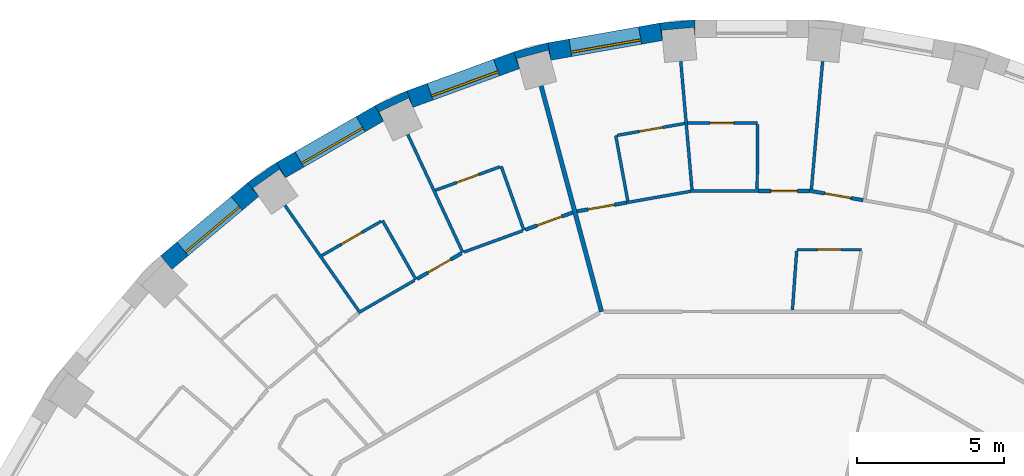
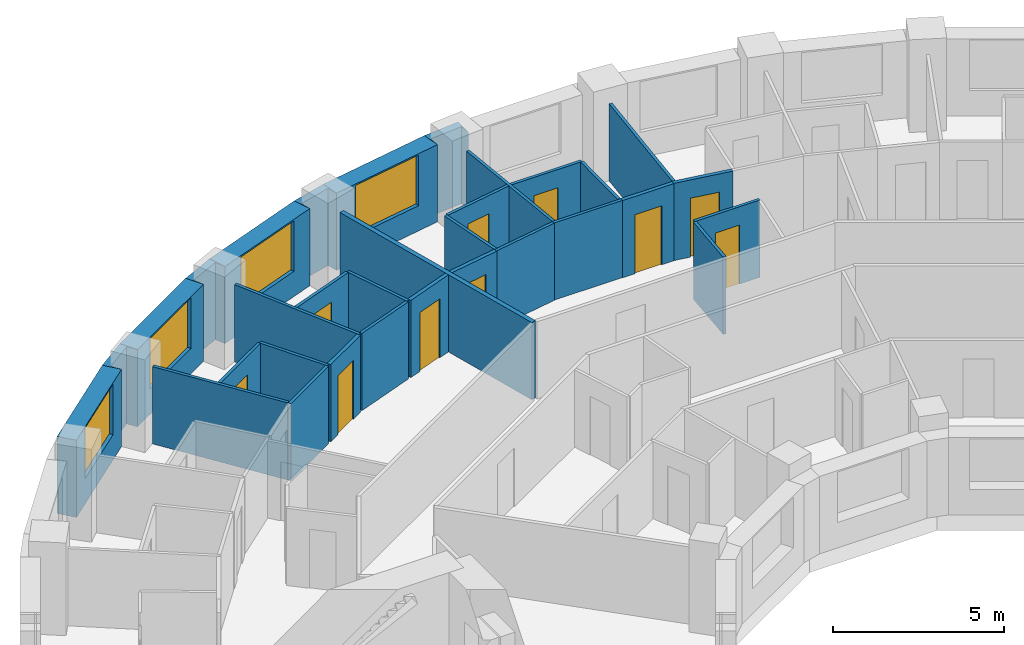
# One storey, part 10 of 14: 32 walls, 10 doors, 4 windows, 14 openings.
"""IFC4 building model written with IfcOpenShell, lengths in metres."""

from ifc_helpers import new_model, si_unit, direction, frame, frame_2d, origin, place, context, subcontext, project, spatial, polyline, rectangle, outline, extrude, material, layer, layer_set, type_object, element, fill, save


model = new_model("IFC4")

# Units and contexts
model_context = context("Model", 3, precision=1e-05, world=origin(), true_north=direction((0.0, 1.0)))
body_context = subcontext(model_context, "Body", "Model", "MODEL_VIEW")
ifc_project = project(units=[si_unit("LENGTHUNIT", "METRE"), si_unit("AREAUNIT", "SQUARE_METRE"), si_unit("VOLUMEUNIT", "CUBIC_METRE"), si_unit("PLANEANGLEUNIT", "RADIAN"), si_unit("MASSUNIT", "GRAM", prefix="KILO")], contexts=[model_context])

# Site, building, storey
site_placement = place(None, origin())
site = spatial("IfcSite", under=ifc_project, at=site_placement, CompositionType="ELEMENT")
building_placement = place(site_placement, origin())
building = spatial("IfcBuilding", under=site, at=building_placement, Name="Saqina Gate Tower", CompositionType="ELEMENT")
storey_placement = place(building_placement, frame((0.0, 0.0, 46.10009765625)))
storey = spatial("IfcBuildingStorey", under=building, at=storey_placement, Name="L12", CompositionType="ELEMENT", Elevation=46.10009765625)

# Walls
ifc_material_1 = material(Name="Brick masonry (red)", Category="masonry")
wall_type_1 = type_object("IfcWallType", Name="BRICK PIER COPING RED", PredefinedType="SOLIDWALL", material=ifc_material_1)
wall_1_placement = place(storey_placement, origin())
element("IfcWall", 1, at=wall_1_placement, inside=storey, type_object=wall_type_1, Name="Pier cap L12 column 10", PredefinedType="SOLIDWALL", context=body_context, shape_type="SweptSolid", body=[
    extrude(outline(polyline([(-1.9228515625, 28.8896484375), (-3.122802734375, 28.78466796875), (-3.018798828125, 28.19384765625), (-3.04931640625, 28.54296875), (-1.95361328125, 28.638671875), (-1.9228515625, 28.28955078125), (-1.9228515625, 28.8896484375)])), origin(), (0.0, 0.0, 1.0), 2.75),
])
wall_2_placement = place(storey_placement, origin())
element("IfcWall", 2, at=wall_2_placement, inside=storey, type_object=wall_type_1, Name="Pier cap L12 column 11", PredefinedType="SOLIDWALL", context=body_context, shape_type="SweptSolid", body=[
    extrude(outline(polyline([(-6.910400390625, 28.11669921875), (-8.073974609375, 27.80517578125), (-7.86865234375, 27.2412109375), (-7.95947265625, 27.57958984375), (-6.896728515625, 27.864501953125), (-6.80615234375, 27.52587890625), (-6.910400390625, 28.11669921875)])), origin(), (0.0, 0.0, 1.0), 2.75),
])
wall_3_placement = place(storey_placement, origin())
element("IfcWall", 3, at=wall_3_placement, inside=storey, type_object=wall_type_1, Name="Pier cap L12 column 12", PredefinedType="SOLIDWALL", context=body_context, shape_type="SweptSolid", body=[
    extrude(outline(polyline([(-12.779541015625, 25.980712890625), (-12.4794921875, 25.4609375), (-12.627685546875, 25.778564453125), (-11.630615234375, 26.243408203125), (-11.482666015625, 25.92578125), (-11.687744140625, 26.48974609375), (-12.779541015625, 25.980712890625)])), origin(), (0.0, 0.0, 1.0), 2.75),
])
wall_4_placement = place(storey_placement, origin())
element("IfcWall", 4, at=wall_4_placement, inside=storey, type_object=wall_type_1, Name="Pier cap L12 column 13", PredefinedType="SOLIDWALL", context=body_context, shape_type="SweptSolid", body=[
    extrude(outline(polyline([(-16.110107421875, 24.0576171875), (-17.096923828125, 23.36669921875), (-16.711181640625, 22.9072265625), (-16.912109375, 23.194091796875), (-16.010986328125, 23.8251953125), (-15.81005859375, 23.5380859375), (-16.110107421875, 24.0576171875)])), origin(), (0.0, 0.0, 1.0), 2.75),
])

# Wall, opening, window
ifc_material_2 = material(Name="Brick masonry (red)", Category="masonry")
ifc_layer_1 = layer(ifc_material_2, 0.60009765625)
ifc_layer_set_1 = layer_set([ifc_layer_1], Name="FW-BRICK-RED")
wall_type_2 = type_object("IfcWallType", Name="FW-BRICK-RED", PredefinedType="SOLIDWALL", material=ifc_layer_set_1)
wall_5_placement = place(storey_placement, frame((-3.07080078125, 28.4892578125, 0.0), z_axis=(0.0, 0.0, 1.0), x_axis=(-0.984800809218, -0.173687553279, 0.0)))
wall_5 = element("IfcWall", 5, at=wall_5_placement, inside=storey, type_object=wall_type_2, Name="Facade wall L12 facet 10", PredefinedType="SOLIDWALL", context=body_context, shape_type="SweptSolid", body=[
    extrude(rectangle(XDim=3.845703125, YDim=0.60009765625, at=frame_2d((1.9228515625, 0.0))), origin(), (0.0, 0.0, 1.0), 2.75),
])
opening_1_placement = place(wall_5_placement, frame((0.722900390625, 0.0, 0.89990234375)))
opening_1 = element("IfcOpeningElement", 6, at=opening_1_placement, cuts=wall_5, Name="Opening G03-W08", PredefinedType="OPENING", context=body_context, shape_type="SweptSolid", body=[
    extrude(rectangle(XDim=2.39990234375, YDim=1.800048828125, at=frame_2d((1.199951171875, 0.89990234375))), frame((0.0, 0.31201171875, 0.0), z_axis=(0.0, -1.0, 0.0), x_axis=(1.0, 0.0, 0.0)), (0.0, 0.0, 1.0), 0.6240234375),
])
ifc_material_3 = material(Name="Aluminium glazing", Category="aluminium")
window_type = type_object("IfcWindowType", Name="WN-A", PartitioningType="SINGLE_PANEL", PredefinedType="WINDOW", material=ifc_material_3)
window_1_placement = place(opening_1_placement, origin())
window_1 = element("IfcWindow", 7, at=window_1_placement, inside=storey, type_object=window_type, Name="Window L12 facet 10", OverallHeight=1.800048828125, OverallWidth=2.39990234375, PartitioningType="SINGLE_PANEL", PredefinedType="WINDOW", context=body_context, shape_type="SweptSolid", body=[
    extrude(rectangle(XDim=2.39990234375, YDim=1.800048828125, at=frame_2d((1.199951171875, 0.89990234375))), frame((0.0, 0.179931640625, 0.0), z_axis=(0.0, -1.0, 0.0), x_axis=(1.0, 0.0, 0.0)), (0.0, 0.0, 1.0), 0.06005859375),
])
fill(opening_1, window_1)

wall_6_placement = place(storey_placement, frame((-7.97119140625, 27.523193359375, 0.0), z_axis=(0.0, 0.0, 1.0), x_axis=(-0.939689588564, -0.342028474173, 0.0)))
wall_6 = element("IfcWall", 8, at=wall_6_placement, inside=storey, type_object=wall_type_2, Name="Facade wall L12 facet 11", PredefinedType="SOLIDWALL", context=body_context, shape_type="SweptSolid", body=[
    extrude(rectangle(XDim=3.845947265625, YDim=0.60009765625, at=frame_2d((1.9228515625, 0.0))), origin(), (0.0, 0.0, 1.0), 2.75),
])
opening_2_placement = place(wall_6_placement, frame((0.722900390625, 0.0, 0.89990234375)))
opening_2 = element("IfcOpeningElement", 9, at=opening_2_placement, cuts=wall_6, Name="Opening G03-W09", PredefinedType="OPENING", context=body_context, shape_type="SweptSolid", body=[
    extrude(rectangle(XDim=2.39990234375, YDim=1.800048828125, at=frame_2d((1.199951171875, 0.89990234375))), frame((0.0, 0.31201171875, 0.0), z_axis=(0.0, -1.0, 0.0), x_axis=(1.0, 0.0, 0.0)), (0.0, 0.0, 1.0), 0.6240234375),
])
window_2_placement = place(opening_2_placement, origin())
window_2 = element("IfcWindow", 10, at=window_2_placement, inside=storey, type_object=window_type, Name="Window L12 facet 11", OverallHeight=1.800048828125, OverallWidth=2.39990234375, PartitioningType="SINGLE_PANEL", PredefinedType="WINDOW", context=body_context, shape_type="SweptSolid", body=[
    extrude(rectangle(XDim=2.39990234375, YDim=1.800048828125, at=frame_2d((1.199951171875, 0.89990234375))), frame((0.0, 0.179931640625, 0.0), z_axis=(0.0, -1.0, 0.0), x_axis=(1.0, 0.0, 0.0)), (0.0, 0.0, 1.0), 0.06005859375),
])
fill(opening_2, window_2)

wall_7_placement = place(storey_placement, frame((-12.629638671875, 25.720703125, 0.0), z_axis=(0.0, 0.0, 1.0), x_axis=(-0.86603124159, -0.499989888488, 0.0)))
wall_7 = element("IfcWall", 11, at=wall_7_placement, inside=storey, type_object=wall_type_2, Name="Facade wall L12 facet 12", PredefinedType="SOLIDWALL", context=body_context, shape_type="SweptSolid", body=[
    extrude(rectangle(XDim=3.845703125, YDim=0.60009765625, at=frame_2d((1.9228515625, 0.0))), origin(), (0.0, 0.0, 1.0), 2.75),
])
opening_3_placement = place(wall_7_placement, frame((0.722900390625, 0.0, 0.89990234375)))
opening_3 = element("IfcOpeningElement", 12, at=opening_3_placement, cuts=wall_7, Name="Opening G03-W10", PredefinedType="OPENING", context=body_context, shape_type="SweptSolid", body=[
    extrude(rectangle(XDim=2.39990234375, YDim=1.800048828125, at=frame_2d((1.199951171875, 0.89990234375))), frame((0.0, 0.31201171875, 0.0), z_axis=(0.0, -1.0, 0.0), x_axis=(1.0, 0.0, 0.0)), (0.0, 0.0, 1.0), 0.6240234375),
])
window_3_placement = place(opening_3_placement, origin())
window_3 = element("IfcWindow", 13, at=window_3_placement, inside=storey, type_object=window_type, Name="Window L12 facet 12", OverallHeight=1.800048828125, OverallWidth=2.39990234375, PartitioningType="SINGLE_PANEL", PredefinedType="WINDOW", context=body_context, shape_type="SweptSolid", body=[
    extrude(rectangle(XDim=2.39990234375, YDim=1.800048828125, at=frame_2d((1.199951171875, 0.89990234375))), frame((0.0, 0.179931640625, 0.0), z_axis=(0.0, -1.0, 0.0), x_axis=(1.0, 0.0, 0.0)), (0.0, 0.0, 1.0), 0.06005859375),
])
fill(opening_3, window_3)

wall_8_placement = place(storey_placement, frame((-16.904052734375, 23.136962890625, 0.0), z_axis=(0.0, 0.0, 1.0), x_axis=(-0.766026164483, -0.642809392687, 0.0)))
wall_8 = element("IfcWall", 14, at=wall_8_placement, inside=storey, type_object=wall_type_2, Name="Facade wall L12 facet 13", PredefinedType="SOLIDWALL", context=body_context, shape_type="SweptSolid", body=[
    extrude(rectangle(XDim=3.845947265625, YDim=0.60009765625, at=frame_2d((1.9228515625, 0.0))), origin(), (0.0, 0.0, 1.0), 2.75),
])
opening_4_placement = place(wall_8_placement, frame((0.722900390625, 0.0, 0.89990234375)))
opening_4 = element("IfcOpeningElement", 15, at=opening_4_placement, cuts=wall_8, Name="Opening G03-W11", PredefinedType="OPENING", context=body_context, shape_type="SweptSolid", body=[
    extrude(rectangle(XDim=2.39990234375, YDim=1.800048828125, at=frame_2d((1.199951171875, 0.89990234375))), frame((0.0, 0.31201171875, 0.0), z_axis=(0.0, -1.0, 0.0), x_axis=(1.0, 0.0, 0.0)), (0.0, 0.0, 1.0), 0.6240234375),
])
window_4_placement = place(opening_4_placement, origin())
window_4 = element("IfcWindow", 16, at=window_4_placement, inside=storey, type_object=window_type, Name="Window L12 facet 13", OverallHeight=1.800048828125, OverallWidth=2.39990234375, PartitioningType="SINGLE_PANEL", PredefinedType="WINDOW", context=body_context, shape_type="SweptSolid", body=[
    extrude(rectangle(XDim=2.39990234375, YDim=1.800048828125, at=frame_2d((1.199951171875, 0.89990234375))), frame((0.0, 0.179931640625, 0.0), z_axis=(0.0, -1.0, 0.0), x_axis=(1.0, 0.0, 0.0)), (0.0, 0.0, 1.0), 0.06005859375),
])
fill(opening_4, window_4)

# Walls
ifc_material_4 = material(Name="Gypsum board on steel studs, 100 mm", Category="steel")
ifc_layer_2 = layer(ifc_material_4, 0.10009765625)
ifc_layer_set_2 = layer_set([ifc_layer_2], Name="PARTITION 100")
wall_type_3 = type_object("IfcWallType", Name="PARTITION 100", PredefinedType="PARTITIONING", material=ifc_layer_set_2)
wall_9_placement = place(storey_placement, frame((-2.404541015625, 27.485107421875, 0.0), z_axis=(0.0, 0.0, 1.0), x_axis=(0.087315535453, -0.996180705128, 0.0)))
element("IfcWall", 17, at=wall_9_placement, inside=storey, type_object=wall_type_3, Name="PARTITION PW3-01", PredefinedType="PARTITIONING", context=body_context, shape_type="SweptSolid", body=[
    extrude(rectangle(XDim=4.36181640625, YDim=0.10009765625, at=frame_2d((2.180908203125, 0.0))), origin(), (0.0, 0.0, 1.0), 2.75),
])
wall_10_placement = place(storey_placement, frame((-4.60888671875, 24.968994140625, 0.0), z_axis=(0.0, 0.0, 1.0), x_axis=(0.181195568125, -0.983447083524, 0.0)))
element("IfcWall", 18, at=wall_10_placement, inside=storey, type_object=wall_type_3, Name="PARTITION PW3-06", PredefinedType="PARTITIONING", context=body_context, shape_type="SweptSolid", body=[
    extrude(rectangle(XDim=2.250244140625, YDim=0.10009765625, at=frame_2d((1.125, 0.0))), origin(), (0.0, 0.0, 1.0), 2.75),
])
wall_11_placement = place(storey_placement, frame((-8.492919921875, 23.927978515625, 0.0), z_axis=(0.0, 0.0, 1.0), x_axis=(0.334695622164, -0.942326291952, 0.0)))
element("IfcWall", 19, at=wall_11_placement, inside=storey, type_object=wall_type_3, Name="PARTITION PW3-12", PredefinedType="PARTITIONING", context=body_context, shape_type="SweptSolid", body=[
    extrude(rectangle(XDim=2.300537109375, YDim=0.10009765625, at=frame_2d((1.150390625, 0.0))), origin(), (0.0, 0.0, 1.0), 2.75),
])
wall_12_placement = place(storey_placement, frame((-11.659912109375, 25.005126953125, 0.0), z_axis=(0.0, 0.0, 1.0), x_axis=(0.422658280027, -0.906289125127, 0.0)))
element("IfcWall", 20, at=wall_12_placement, inside=storey, type_object=wall_type_3, Name="PARTITION PW3-15", PredefinedType="PARTITIONING", context=body_context, shape_type="SweptSolid", body=[
    extrude(rectangle(XDim=4.41259765625, YDim=0.10009765625, at=frame_2d((2.206298828125, 0.0))), origin(), (0.0, 0.0, 1.0), 2.75),
])
wall_13_placement = place(storey_placement, frame((-12.51904296875, 22.090087890625, 0.0), z_axis=(0.0, 0.0, 1.0), x_axis=(0.49306078006, -0.869994866173, 0.0)))
element("IfcWall", 21, at=wall_13_placement, inside=storey, type_object=wall_type_3, Name="PARTITION PW3-18", PredefinedType="PARTITIONING", context=body_context, shape_type="SweptSolid", body=[
    extrude(rectangle(XDim=2.300048828125, YDim=0.10009765625, at=frame_2d((1.14990234375, 0.0))), origin(), (0.0, 0.0, 1.0), 2.75),
])
wall_14_placement = place(storey_placement, frame((-15.824951171875, 22.600341796875, 0.0), z_axis=(0.0, 0.0, 1.0), x_axis=(0.573326730149, -0.819326833746, 0.0)))
element("IfcWall", 22, at=wall_14_placement, inside=storey, type_object=wall_type_3, Name="PARTITION PW3-24", PredefinedType="PARTITIONING", context=body_context, shape_type="SweptSolid", body=[
    extrude(rectangle(XDim=4.349853515625, YDim=0.10009765625, at=frame_2d((2.1748046875, 0.0))), origin(), (0.0, 0.0, 1.0), 2.75),
])

# Wall, opening, door
wall_15_placement = place(storey_placement, frame((1.529052734375, 21.10009765625, 0.0), z_axis=(0.0, 0.0, 1.0), x_axis=(1.0, 0.0, 0.0)))
wall_15 = element("IfcWall", 23, at=wall_15_placement, inside=storey, type_object=wall_type_3, Name="PARTITION PW3-67", PredefinedType="PARTITIONING", context=body_context, shape_type="SweptSolid", body=[
    extrude(rectangle(XDim=2.19091796875, YDim=0.10009765625, at=frame_2d((1.095458984375, 0.0))), origin(), (0.0, 0.0, 1.0), 2.75),
])
opening_5_placement = place(wall_15_placement, frame((0.695556640625, 0.0, 0.0)))
opening_5 = element("IfcOpeningElement", 24, at=opening_5_placement, cuts=wall_15, Name="Opening G03-D15", PredefinedType="OPENING", context=body_context, shape_type="SweptSolid", body=[
    extrude(rectangle(XDim=0.800048828125, YDim=2.10009765625, at=frame_2d((0.39990234375, 1.050048828125))), frame((0.0, 0.06201171875, 0.0), z_axis=(0.0, -1.0, 0.0), x_axis=(1.0, 0.0, 0.0)), (0.0, 0.0, 1.0), 0.1240234375),
])
ifc_material_5 = material(Name="Timber door leaf, 800 mm", Category="wood")
door_type_1 = type_object("IfcDoorType", Name="DOOR 800 TIMBER", OperationType="SINGLE_SWING_LEFT", PredefinedType="DOOR", material=ifc_material_5)
door_1_placement = place(opening_5_placement, origin())
door_1 = element("IfcDoor", 25, at=door_1_placement, inside=storey, type_object=door_type_1, Name="DOOR G03-D15", OperationType="SINGLE_SWING_LEFT", OverallHeight=2.10009765625, OverallWidth=0.800048828125, PredefinedType="DOOR", context=body_context, shape_type="SweptSolid", body=[
    extrude(rectangle(XDim=0.800048828125, YDim=2.10009765625, at=frame_2d((0.39990234375, 1.050048828125))), frame((0.0, 0.02490234375, 0.0), z_axis=(0.0, -1.0, 0.0), x_axis=(1.0, 0.0, 0.0)), (0.0, 0.0, 1.0), 0.050048828125),
])
fill(opening_5, door_1)

# Wall
wall_16_placement = place(storey_placement, frame((-2.07080078125, 23.090087890625, 0.0), z_axis=(0.0, 0.0, 1.0), x_axis=(1.0, 0.0, 0.0)))
element("IfcWall", 26, at=wall_16_placement, inside=storey, type_object=wall_type_3, Name="PARTITION PW3-68", PredefinedType="PARTITIONING", context=body_context, shape_type="SweptSolid", body=[
    extrude(rectangle(XDim=2.305908203125, YDim=0.10009765625, at=frame_2d((1.15283203125, 0.0))), origin(), (0.0, 0.0, 1.0), 2.75),
])

# Wall, opening, door
wall_17_placement = place(storey_placement, frame((-2.1708984375, 25.389892578125, 0.0), z_axis=(0.0, 0.0, 1.0), x_axis=(1.0, 0.0, 0.0)))
wall_17 = element("IfcWall", 27, at=wall_17_placement, inside=storey, type_object=wall_type_3, Name="PARTITION PW3-69", PredefinedType="PARTITIONING", context=body_context, shape_type="SweptSolid", body=[
    extrude(rectangle(XDim=2.373779296875, YDim=0.10009765625, at=frame_2d((1.18701171875, 0.0))), origin(), (0.0, 0.0, 1.0), 2.75),
])
opening_6_placement = place(wall_17_placement, frame((0.761962890625, 0.0, 0.0)))
opening_6 = element("IfcOpeningElement", 28, at=opening_6_placement, cuts=wall_17, Name="Opening G03-D17", PredefinedType="OPENING", context=body_context, shape_type="SweptSolid", body=[
    extrude(rectangle(XDim=0.800048828125, YDim=2.10009765625, at=frame_2d((0.39990234375, 1.050048828125))), frame((0.0, 0.06201171875, 0.0), z_axis=(0.0, -1.0, 0.0), x_axis=(1.0, 0.0, 0.0)), (0.0, 0.0, 1.0), 0.1240234375),
])
door_2_placement = place(opening_6_placement, origin())
door_2 = element("IfcDoor", 29, at=door_2_placement, inside=storey, type_object=door_type_1, Name="DOOR G03-D17", OperationType="SINGLE_SWING_LEFT", OverallHeight=2.10009765625, OverallWidth=0.800048828125, PredefinedType="DOOR", context=body_context, shape_type="SweptSolid", body=[
    extrude(rectangle(XDim=0.800048828125, YDim=2.10009765625, at=frame_2d((0.39990234375, 1.050048828125))), frame((0.0, 0.02490234375, 0.0), z_axis=(0.0, -1.0, 0.0), x_axis=(1.0, 0.0, 0.0)), (0.0, 0.0, 1.0), 0.050048828125),
])
fill(opening_6, door_2)

# Wall
wall_18_placement = place(storey_placement, frame((-4.2412109375, 22.697998046875, 0.0), z_axis=(0.0, 0.0, 1.0), x_axis=(0.984822536066, 0.173564317922, 0.0)))
element("IfcWall", 30, at=wall_18_placement, inside=storey, type_object=wall_type_3, Name="PARTITION PW3-72", PredefinedType="PARTITIONING", context=body_context, shape_type="SweptSolid", body=[
    extrude(rectangle(XDim=2.20556640625, YDim=0.10009765625, at=frame_2d((1.102783203125, 0.0))), origin(), (0.0, 0.0, 1.0), 2.75),
])

# Wall, opening, door
wall_19_placement = place(storey_placement, frame((-4.559814453125, 24.977783203125, 0.0), z_axis=(0.0, 0.0, 1.0), x_axis=(0.984818426074, 0.173587636842, 0.0)))
wall_19 = element("IfcWall", 31, at=wall_19_placement, inside=storey, type_object=wall_type_3, Name="PARTITION PW3-73", PredefinedType="PARTITIONING", context=body_context, shape_type="SweptSolid", body=[
    extrude(rectangle(XDim=2.324951171875, YDim=0.10009765625, at=frame_2d((1.16259765625, 0.0))), origin(), (0.0, 0.0, 1.0), 2.75),
])
opening_7_placement = place(wall_19_placement, frame((0.762451171875, 0.0, 0.0)))
opening_7 = element("IfcOpeningElement", 32, at=opening_7_placement, cuts=wall_19, Name="Opening G03-D20", PredefinedType="OPENING", context=body_context, shape_type="SweptSolid", body=[
    extrude(rectangle(XDim=0.800048828125, YDim=2.10009765625, at=frame_2d((0.39990234375, 1.050048828125))), frame((0.0, 0.06201171875, 0.0), z_axis=(0.0, -1.0, 0.0), x_axis=(1.0, 0.0, 0.0)), (0.0, 0.0, 1.0), 0.1240234375),
])
door_3_placement = place(opening_7_placement, origin())
door_3 = element("IfcDoor", 33, at=door_3_placement, inside=storey, type_object=door_type_1, Name="DOOR G03-D20", OperationType="SINGLE_SWING_LEFT", OverallHeight=2.10009765625, OverallWidth=0.800048828125, PredefinedType="DOOR", context=body_context, shape_type="SweptSolid", body=[
    extrude(rectangle(XDim=0.800048828125, YDim=2.10009765625, at=frame_2d((0.39990234375, 1.050048828125))), frame((0.0, 0.02490234375, 0.0), z_axis=(0.0, -1.0, 0.0), x_axis=(1.0, 0.0, 0.0)), (0.0, 0.0, 1.0), 0.050048828125),
])
fill(opening_7, door_3)

# Wall
wall_20_placement = place(storey_placement, frame((-9.748046875, 21.023193359375, 0.0), z_axis=(0.0, 0.0, 1.0), x_axis=(0.939725675468, 0.341929312674, 0.0)))
element("IfcWall", 34, at=wall_20_placement, inside=storey, type_object=wall_type_3, Name="PARTITION PW3-76", PredefinedType="PARTITIONING", context=body_context, shape_type="SweptSolid", body=[
    extrude(rectangle(XDim=2.10498046875, YDim=0.10009765625, at=frame_2d((1.052490234375, 0.0))), origin(), (0.0, 0.0, 1.0), 2.75),
])

# Wall, opening, door
wall_21_placement = place(storey_placement, frame((-10.723876953125, 23.1162109375, 0.0), z_axis=(0.0, 0.0, 1.0), x_axis=(0.939716717369, 0.34195393125, 0.0)))
wall_21 = element("IfcWall", 35, at=wall_21_placement, inside=storey, type_object=wall_type_3, Name="PARTITION PW3-77", PredefinedType="PARTITIONING", context=body_context, shape_type="SweptSolid", body=[
    extrude(rectangle(XDim=2.323974609375, YDim=0.10009765625, at=frame_2d((1.162109375, 0.0))), origin(), (0.0, 0.0, 1.0), 2.75),
])
opening_8_placement = place(wall_21_placement, frame((0.761962890625, 0.0, 0.0)))
opening_8 = element("IfcOpeningElement", 36, at=opening_8_placement, cuts=wall_21, Name="Opening G03-D24", PredefinedType="OPENING", context=body_context, shape_type="SweptSolid", body=[
    extrude(rectangle(XDim=0.800048828125, YDim=2.10009765625, at=frame_2d((0.39990234375, 1.050048828125))), frame((0.0, 0.06201171875, 0.0), z_axis=(0.0, -1.0, 0.0), x_axis=(1.0, 0.0, 0.0)), (0.0, 0.0, 1.0), 0.1240234375),
])
door_4_placement = place(opening_8_placement, origin())
door_4 = element("IfcDoor", 37, at=door_4_placement, inside=storey, type_object=door_type_1, Name="DOOR G03-D24", OperationType="SINGLE_SWING_LEFT", OverallHeight=2.10009765625, OverallWidth=0.800048828125, PredefinedType="DOOR", context=body_context, shape_type="SweptSolid", body=[
    extrude(rectangle(XDim=0.800048828125, YDim=2.10009765625, at=frame_2d((0.39990234375, 1.050048828125))), frame((0.0, 0.02490234375, 0.0), z_axis=(0.0, -1.0, 0.0), x_axis=(1.0, 0.0, 0.0)), (0.0, 0.0, 1.0), 0.050048828125),
])
fill(opening_8, door_4)

# Wall
wall_22_placement = place(storey_placement, frame((-13.337890625, 18.960693359375, 0.0), z_axis=(0.0, 0.0, 1.0), x_axis=(0.865883187712, 0.500246244601, 0.0)))
element("IfcWall", 38, at=wall_22_placement, inside=storey, type_object=wall_type_3, Name="PARTITION PW3-87", PredefinedType="PARTITIONING", context=body_context, shape_type="SweptSolid", body=[
    extrude(rectangle(XDim=2.20556640625, YDim=0.10009765625, at=frame_2d((1.102783203125, 0.0))), origin(), (0.0, 0.0, 1.0), 2.75),
])

# Wall, opening, door
wall_23_placement = place(storey_placement, frame((-14.574951171875, 20.90234375, 0.0), z_axis=(0.0, 0.0, 1.0), x_axis=(0.865919666768, 0.50018309718, 0.0)))
wall_23 = element("IfcWall", 39, at=wall_23_placement, inside=storey, type_object=wall_type_3, Name="PARTITION PW3-88", PredefinedType="PARTITIONING", context=body_context, shape_type="SweptSolid", body=[
    extrude(rectangle(XDim=2.324462890625, YDim=0.10009765625, at=frame_2d((1.162109375, 0.0))), origin(), (0.0, 0.0, 1.0), 2.75),
])
opening_9_placement = place(wall_23_placement, frame((0.76220703125, 0.0, 0.0)))
opening_9 = element("IfcOpeningElement", 40, at=opening_9_placement, cuts=wall_23, Name="Opening G03-D28", PredefinedType="OPENING", context=body_context, shape_type="SweptSolid", body=[
    extrude(rectangle(XDim=0.800048828125, YDim=2.10009765625, at=frame_2d((0.39990234375, 1.050048828125))), frame((0.0, 0.06201171875, 0.0), z_axis=(0.0, -1.0, 0.0), x_axis=(1.0, 0.0, 0.0)), (0.0, 0.0, 1.0), 0.1240234375),
])
door_5_placement = place(opening_9_placement, origin())
door_5 = element("IfcDoor", 41, at=door_5_placement, inside=storey, type_object=door_type_1, Name="DOOR G03-D28", OperationType="SINGLE_SWING_RIGHT", OverallHeight=2.10009765625, OverallWidth=0.800048828125, PredefinedType="DOOR", context=body_context, shape_type="SweptSolid", body=[
    extrude(rectangle(XDim=0.800048828125, YDim=2.10009765625, at=frame_2d((0.39990234375, 1.050048828125))), frame((0.0, 0.02490234375, 0.0), z_axis=(0.0, -1.0, 0.0), x_axis=(1.0, 0.0, 0.0)), (0.0, 0.0, 1.0), 0.050048828125),
])
fill(opening_9, door_5)

# Walls
wall_24_placement = place(storey_placement, frame((2.025390625, 23.15234375, 0.0), z_axis=(0.0, 0.0, 1.0), x_axis=(0.087174609927, 0.996193047247, 0.0)))
element("IfcWall", 42, at=wall_24_placement, inside=storey, type_object=wall_type_3, Name="PARTITION PW3-127", PredefinedType="PARTITIONING", context=body_context, shape_type="SweptSolid", body=[
    extrude(rectangle(XDim=4.349365234375, YDim=0.10009765625, at=frame_2d((2.1748046875, 0.0))), origin(), (0.0, 0.0, 1.0), 2.75),
])
wall_25_placement = place(storey_placement, frame((1.381591796875, 19.062255859375, 0.0), z_axis=(0.0, 0.0, 1.0), x_axis=(0.072152400095, 0.997393618969, 0.0)))
element("IfcWall", 43, at=wall_25_placement, inside=storey, type_object=wall_type_3, Name="PARTITION PW3-128", PredefinedType="PARTITIONING", context=body_context, shape_type="SweptSolid", body=[
    extrude(rectangle(XDim=1.992919921875, YDim=0.10009765625, at=frame_2d((0.99658203125, 0.0))), origin(), (0.0, 0.0, 1.0), 2.75),
])
wall_26_placement = place(storey_placement, frame((0.185546875, 23.152587890625, 0.0), z_axis=(0.0, 0.0, 1.0), x_axis=(0.007812261592, 0.999969483819, 0.0)))
element("IfcWall", 44, at=wall_26_placement, inside=storey, type_object=wall_type_3, Name="PARTITION PW3-130", PredefinedType="PARTITIONING", context=body_context, shape_type="SweptSolid", body=[
    extrude(rectangle(XDim=2.1875, YDim=0.10009765625, at=frame_2d((1.09375, 0.0))), origin(), (0.0, 0.0, 1.0), 2.75),
])

# Wall, opening, door
ifc_material_6 = material(Name="Gypsum board on steel studs, 125 mm, fire rated", Category="steel")
ifc_layer_3 = layer(ifc_material_6, 0.125)
ifc_layer_set_3 = layer_set([ifc_layer_3], Name="PARTITION EI 30 125")
wall_type_4 = type_object("IfcWallType", Name="PARTITION EI 30 125", PredefinedType="PARTITIONING", material=ifc_layer_set_3)
wall_27_placement = place(storey_placement, frame((1.95751953125, 23.10107421875, 0.0), z_axis=(0.0, 0.0, 1.0), x_axis=(0.984778239754, -0.173815472575, 0.0)))
wall_27 = element("IfcWall", 45, at=wall_27_placement, inside=storey, type_object=wall_type_4, Name="PARTITION PW1-23", PredefinedType="PARTITIONING", context=body_context, shape_type="SweptSolid", body=[
    extrude(rectangle(XDim=1.848388671875, YDim=0.125, at=frame_2d((0.92431640625, 0.0))), origin(), (0.0, 0.0, 1.0), 2.75),
])
opening_10_placement = place(wall_27_placement, frame((0.531005859375, 0.0, 0.0)))
opening_10 = element("IfcOpeningElement", 46, at=opening_10_placement, cuts=wall_27, Name="Opening G03-D13", PredefinedType="OPENING", context=body_context, shape_type="SweptSolid", body=[
    extrude(rectangle(XDim=0.89990234375, YDim=2.10009765625, at=frame_2d((0.449951171875, 1.050048828125))), frame((0.0, 0.074462890625, 0.0), z_axis=(0.0, -1.0, 0.0), x_axis=(1.0, 0.0, 0.0)), (0.0, 0.0, 1.0), 0.14892578125),
])
ifc_material_7 = material(Name="Fire door leaf EI 30, 900 mm")
door_type_2 = type_object("IfcDoorType", Name="DOOR 900 EI 30", OperationType="SINGLE_SWING_LEFT", PredefinedType="DOOR", material=ifc_material_7)
door_6_placement = place(opening_10_placement, frame((0.89990234375, 0.0, 0.0), z_axis=(0.0, 0.0, 1.0), x_axis=(-1.0, 0.0, 0.0)))
door_6 = element("IfcDoor", 47, at=door_6_placement, inside=storey, type_object=door_type_2, Name="DOOR G03-D13", OperationType="SINGLE_SWING_RIGHT", OverallHeight=2.10009765625, OverallWidth=0.89990234375, PredefinedType="DOOR", context=body_context, shape_type="SweptSolid", body=[
    extrude(rectangle(XDim=0.89990234375, YDim=2.10009765625, at=frame_2d((0.449951171875, 1.050048828125))), frame((0.0, 0.02490234375, 0.0), z_axis=(0.0, -1.0, 0.0), x_axis=(1.0, 0.0, 0.0)), (0.0, 0.0, 1.0), 0.050048828125),
])
fill(opening_10, door_6)

wall_28_placement = place(storey_placement, frame((0.235107421875, 23.090087890625, 0.0), z_axis=(0.0, 0.0, 1.0), x_axis=(1.0, 0.0, 0.0)))
wall_28 = element("IfcWall", 48, at=wall_28_placement, inside=storey, type_object=wall_type_4, Name="PARTITION PW1-30", PredefinedType="PARTITIONING", context=body_context, shape_type="SweptSolid", body=[
    extrude(rectangle(XDim=1.722412109375, YDim=0.125, at=frame_2d((0.861328125, 0.0))), origin(), (0.0, 0.0, 1.0), 2.75),
])
opening_11_placement = place(wall_28_placement, frame((0.41748046875, 0.0, 0.0)))
opening_11 = element("IfcOpeningElement", 49, at=opening_11_placement, cuts=wall_28, Name="Opening G03-D16", PredefinedType="OPENING", context=body_context, shape_type="SweptSolid", body=[
    extrude(rectangle(XDim=0.89990234375, YDim=2.10009765625, at=frame_2d((0.449951171875, 1.050048828125))), frame((0.0, 0.074462890625, 0.0), z_axis=(0.0, -1.0, 0.0), x_axis=(1.0, 0.0, 0.0)), (0.0, 0.0, 1.0), 0.14892578125),
])
door_7_placement = place(opening_11_placement, frame((0.89990234375, 0.0, 0.0), z_axis=(0.0, 0.0, 1.0), x_axis=(-1.0, 0.0, 0.0)))
door_7 = element("IfcDoor", 50, at=door_7_placement, inside=storey, type_object=door_type_2, Name="DOOR G03-D16", OperationType="SINGLE_SWING_LEFT", OverallHeight=2.10009765625, OverallWidth=0.89990234375, PredefinedType="DOOR", context=body_context, shape_type="SweptSolid", body=[
    extrude(rectangle(XDim=0.89990234375, YDim=2.10009765625, at=frame_2d((0.449951171875, 1.050048828125))), frame((0.0, 0.02490234375, 0.0), z_axis=(0.0, -1.0, 0.0), x_axis=(1.0, 0.0, 0.0)), (0.0, 0.0, 1.0), 0.050048828125),
])
fill(opening_11, door_7)

wall_29_placement = place(storey_placement, frame((-5.925048828125, 22.401123046875, 0.0), z_axis=(0.0, 0.0, 1.0), x_axis=(0.984786433544, 0.173769043008, 0.0)))
wall_29 = element("IfcWall", 51, at=wall_29_placement, inside=storey, type_object=wall_type_4, Name="PARTITION PW1-32", PredefinedType="PARTITIONING", context=body_context, shape_type="SweptSolid", body=[
    extrude(rectangle(XDim=1.7099609375, YDim=0.125, at=frame_2d((0.85498046875, 0.0))), origin(), (0.0, 0.0, 1.0), 2.75),
])
opening_12_placement = place(wall_29_placement, frame((0.392578125, 0.0, 0.0)))
opening_12 = element("IfcOpeningElement", 52, at=opening_12_placement, cuts=wall_29, Name="Opening G03-D21", PredefinedType="OPENING", context=body_context, shape_type="SweptSolid", body=[
    extrude(rectangle(XDim=0.89990234375, YDim=2.10009765625, at=frame_2d((0.449951171875, 1.050048828125))), frame((0.0, 0.074462890625, 0.0), z_axis=(0.0, -1.0, 0.0), x_axis=(1.0, 0.0, 0.0)), (0.0, 0.0, 1.0), 0.14892578125),
])
door_8_placement = place(opening_12_placement, frame((0.89990234375, 0.0, 0.0), z_axis=(0.0, 0.0, 1.0), x_axis=(-1.0, 0.0, 0.0)))
door_8 = element("IfcDoor", 53, at=door_8_placement, inside=storey, type_object=door_type_2, Name="DOOR G03-D21", OperationType="SINGLE_SWING_RIGHT", OverallHeight=2.10009765625, OverallWidth=0.89990234375, PredefinedType="DOOR", context=body_context, shape_type="SweptSolid", body=[
    extrude(rectangle(XDim=0.89990234375, YDim=2.10009765625, at=frame_2d((0.449951171875, 1.050048828125))), frame((0.0, 0.02490234375, 0.0), z_axis=(0.0, -1.0, 0.0), x_axis=(1.0, 0.0, 0.0)), (0.0, 0.0, 1.0), 0.050048828125),
])
fill(opening_12, door_8)

wall_30_placement = place(storey_placement, frame((-7.676025390625, 21.777099609375, 0.0), z_axis=(0.0, 0.0, 1.0), x_axis=(0.939597315436, 0.342281879195, 0.0)))
wall_30 = element("IfcWall", 54, at=wall_30_placement, inside=storey, type_object=wall_type_4, Name="PARTITION PW1-34", PredefinedType="PARTITIONING", context=body_context, shape_type="SweptSolid", body=[
    extrude(rectangle(XDim=1.709716796875, YDim=0.125, at=frame_2d((0.85498046875, 0.0))), origin(), (0.0, 0.0, 1.0), 2.75),
])
opening_13_placement = place(wall_30_placement, frame((0.41748046875, 0.0, 0.0)))
opening_13 = element("IfcOpeningElement", 55, at=opening_13_placement, cuts=wall_30, Name="Opening G03-D22", PredefinedType="OPENING", context=body_context, shape_type="SweptSolid", body=[
    extrude(rectangle(XDim=0.89990234375, YDim=2.10009765625, at=frame_2d((0.449951171875, 1.050048828125))), frame((0.0, 0.074462890625, 0.0), z_axis=(0.0, -1.0, 0.0), x_axis=(1.0, 0.0, 0.0)), (0.0, 0.0, 1.0), 0.14892578125),
])
door_9_placement = place(opening_13_placement, frame((0.89990234375, 0.0, 0.0), z_axis=(0.0, 0.0, 1.0), x_axis=(-1.0, 0.0, 0.0)))
door_9 = element("IfcDoor", 56, at=door_9_placement, inside=storey, type_object=door_type_2, Name="DOOR G03-D22", OperationType="SINGLE_SWING_LEFT", OverallHeight=2.10009765625, OverallWidth=0.89990234375, PredefinedType="DOOR", context=body_context, shape_type="SweptSolid", body=[
    extrude(rectangle(XDim=0.89990234375, YDim=2.10009765625, at=frame_2d((0.449951171875, 1.050048828125))), frame((0.0, 0.02490234375, 0.0), z_axis=(0.0, -1.0, 0.0), x_axis=(1.0, 0.0, 0.0)), (0.0, 0.0, 1.0), 0.050048828125),
])
fill(opening_13, door_9)

wall_31_placement = place(storey_placement, frame((-11.341796875, 20.114013671875, 0.0), z_axis=(0.0, 0.0, 1.0), x_axis=(0.866288616225, 0.499543825303, 0.0)))
wall_31 = element("IfcWall", 57, at=wall_31_placement, inside=storey, type_object=wall_type_4, Name="PARTITION PW1-41", PredefinedType="PARTITIONING", context=body_context, shape_type="SweptSolid", body=[
    extrude(rectangle(XDim=1.7353515625, YDim=0.125, at=frame_2d((0.86767578125, 0.0))), origin(), (0.0, 0.0, 1.0), 2.75),
])
opening_14_placement = place(wall_31_placement, frame((0.417724609375, 0.0, 0.0)))
opening_14 = element("IfcOpeningElement", 58, at=opening_14_placement, cuts=wall_31, Name="Opening G03-D26", PredefinedType="OPENING", context=body_context, shape_type="SweptSolid", body=[
    extrude(rectangle(XDim=0.89990234375, YDim=2.10009765625, at=frame_2d((0.449951171875, 1.050048828125))), frame((0.0, 0.074462890625, 0.0), z_axis=(0.0, -1.0, 0.0), x_axis=(1.0, 0.0, 0.0)), (0.0, 0.0, 1.0), 0.14892578125),
])
door_10_placement = place(opening_14_placement, frame((0.89990234375, 0.0, 0.0), z_axis=(0.0, 0.0, 1.0), x_axis=(-1.0, 0.0, 0.0)))
door_10 = element("IfcDoor", 59, at=door_10_placement, inside=storey, type_object=door_type_2, Name="DOOR G03-D26", OperationType="SINGLE_SWING_LEFT", OverallHeight=2.10009765625, OverallWidth=0.89990234375, PredefinedType="DOOR", context=body_context, shape_type="SweptSolid", body=[
    extrude(rectangle(XDim=0.89990234375, YDim=2.10009765625, at=frame_2d((0.449951171875, 1.050048828125))), frame((0.0, 0.02490234375, 0.0), z_axis=(0.0, -1.0, 0.0), x_axis=(1.0, 0.0, 0.0)), (0.0, 0.0, 1.0), 0.050048828125),
])
fill(opening_14, door_10)

# Wall
ifc_material_8 = material(Name="Gypsum board on steel studs, 150 mm, fire rated", Category="steel")
ifc_layer_4 = layer(ifc_material_8, 0.14990234375)
ifc_layer_set_4 = layer_set([ifc_layer_4], Name="PARTITION EI 60 150")
wall_type_5 = type_object("IfcWallType", Name="PARTITION EI 60 150", PredefinedType="PARTITIONING", material=ifc_layer_set_4)
wall_32_placement = place(storey_placement, frame((-7.138427734375, 26.650634765625, 0.0), z_axis=(0.0, 0.0, 1.0), x_axis=(0.258510598433, -0.966008421546, 0.0)))
element("IfcWall", 60, at=wall_32_placement, inside=storey, type_object=wall_type_5, Name="PARTITION PW2-01", PredefinedType="PARTITIONING", context=body_context, shape_type="SweptSolid", body=[
    extrude(rectangle(XDim=7.919921875, YDim=0.14990234375, at=frame_2d((3.9599609375, 0.0))), origin(), (0.0, 0.0, 1.0), 2.75),
])

save(model, "model.ifc")
